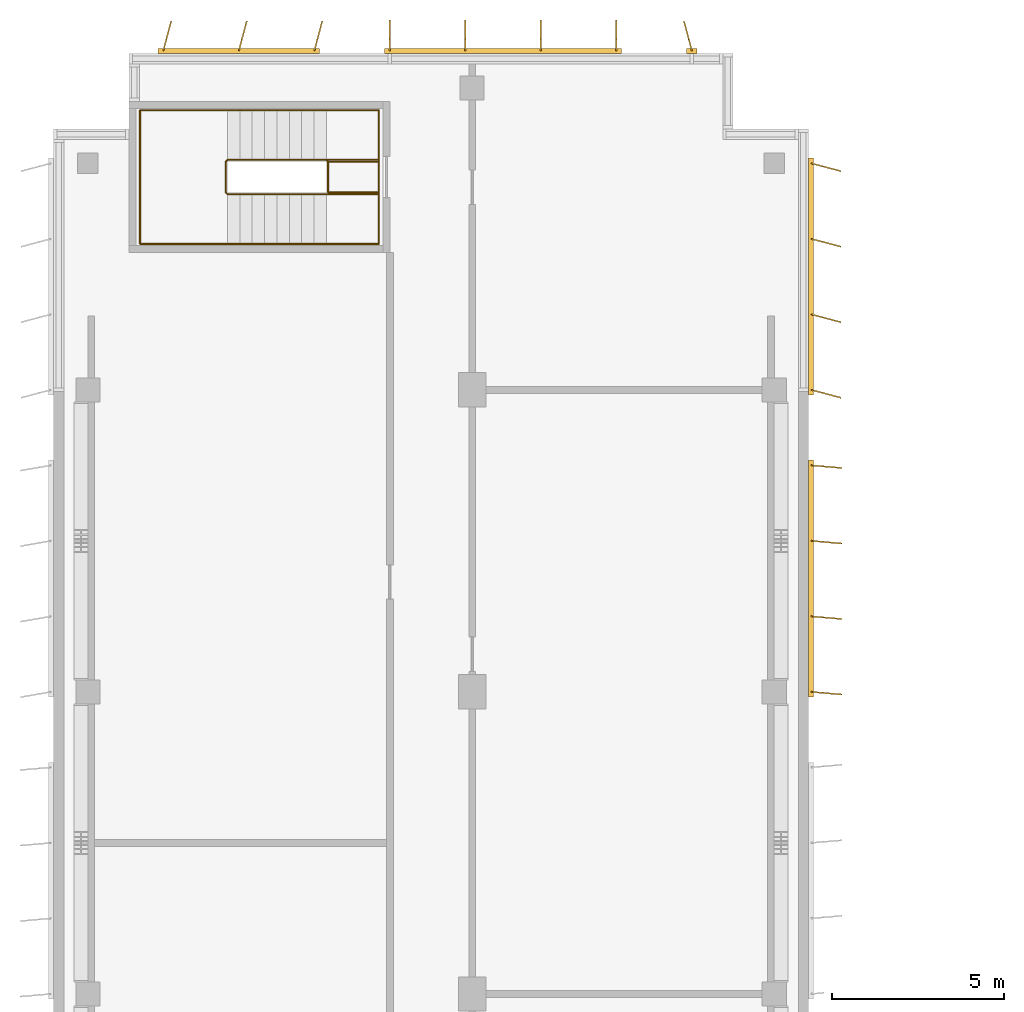
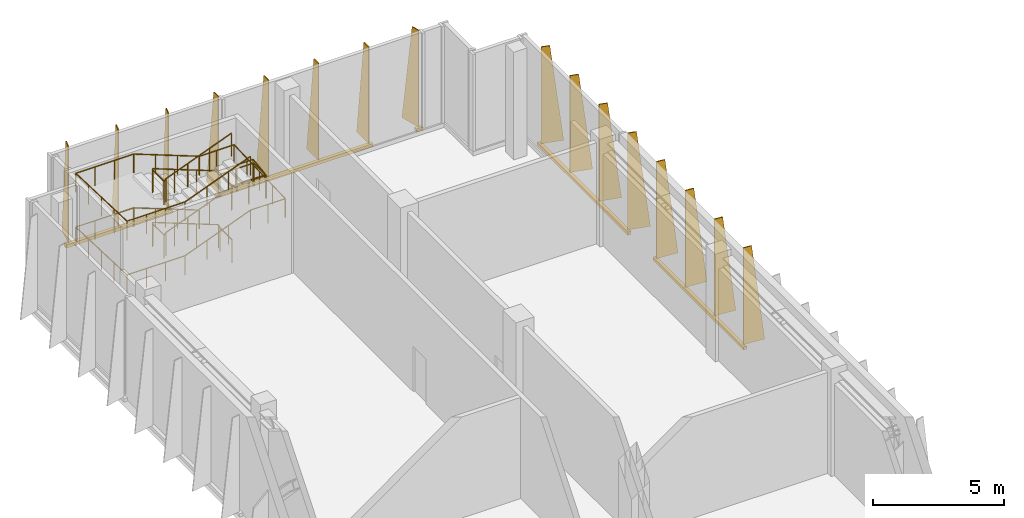
# One storey, part 14 of 14: 5 shading devices, 2 railings.
"""IFC4 building model written with IfcOpenShell, lengths in metres."""

from ifc_helpers import new_model, si_unit, direction, frame, origin, origin_2d, place, context, subcontext, project, spatial, polyline, rectangle, circle, outline, extrude, source, transform, mapped, material, layer, layer_set, type_object, element, save


model = new_model("IFC4")

# Units and contexts
model_context = context("Model", 3, precision=1e-05, world=origin(), true_north=direction((0.0, 1.0)))
body_context = subcontext(model_context, "Body", "Model", "MODEL_VIEW")
ifc_project = project(units=[si_unit("LENGTHUNIT", "METRE"), si_unit("AREAUNIT", "SQUARE_METRE"), si_unit("VOLUMEUNIT", "CUBIC_METRE"), si_unit("PLANEANGLEUNIT", "RADIAN"), si_unit("MASSUNIT", "GRAM", prefix="KILO")], contexts=[model_context])

# Site, building, storey
site_placement = place(None, origin())
site = spatial("IfcSite", under=ifc_project, at=site_placement, CompositionType="ELEMENT")
building_placement = place(site_placement, origin())
building = spatial("IfcBuilding", under=site, at=building_placement, Name="Kemantara Hotel Tower", CompositionType="ELEMENT")
storey_placement = place(building_placement, frame((0.0, 0.0, 309.199951171875)))
storey = spatial("IfcBuildingStorey", under=building, at=storey_placement, Name="L78", CompositionType="ELEMENT", Elevation=309.199951171875)

# Railings
ifc_material_1 = material(Name="Stainless steel balustrade", Category="steel")
railing_type_1 = type_object("IfcRailingType", Name="Stair guard 1100 mm", PredefinedType="GUARDRAIL", material=ifc_material_1)
railing_1_placement = place(storey_placement, frame((7.949951171875, 59.5, 5.0)))
element("IfcRailing", 1, at=railing_1_placement, inside=storey, type_object=railing_type_1, Name="L78 ST4 stair guard 1", PredefinedType="GUARDRAIL", context=body_context, shape_type="SweptSolid", body=[
    extrude(circle(Radius=0.02392578125, at=origin_2d()), frame((0.0, 0.0, 1.076171875), z_axis=(-0.932972064118, 0.0, -0.359948784656), x_axis=(0.0, -1.0, 0.0)), (0.0, 0.0, 1.0), 3.086669921875),
    extrude(circle(Radius=0.02392578125, at=origin_2d()), frame((-2.8798828125, 0.0, -0.03515625), z_axis=(-0.321014310373, 0.321014310373, -0.891010451718), x_axis=(-0.707106781187, -0.707106781187, 0.0)), (0.0, 0.0, 1.0), 0.156005859375),
    extrude(circle(Radius=0.02392578125, at=origin_2d()), frame((-2.929931640625, 0.050048828125, -0.173828125), z_axis=(0.0, 1.0, 0.0), x_axis=(-1.0, 0.0, 0.0)), (0.0, 0.0, 1.0), 0.89990234375),
    extrude(circle(Radius=0.02392578125, at=origin_2d()), frame((-2.929931640625, 0.949951171875, -0.173828125), z_axis=(0.707106781187, 0.707106781187, 0.0), x_axis=(-0.707106781187, 0.707106781187, 0.0)), (0.0, 0.0, 1.0), 0.07080078125),
    extrude(circle(Radius=0.02392578125, at=origin_2d()), frame((-2.8798828125, 1.0, -0.173828125), z_axis=(0.932972064118, 0.0, -0.359948784656), x_axis=(0.0, 1.0, 0.0)), (0.0, 0.0, 1.0), 3.086669921875),
    extrude(circle(Radius=0.02392578125, at=origin_2d()), frame((0.0, 1.0, -1.28515625), z_axis=(1.0, 0.0, 0.0), x_axis=(0.0, 1.0, 0.0)), (0.0, 0.0, 1.0), 1.530029296875),
    extrude(circle(Radius=0.02392578125, at=origin_2d()), frame((1.530029296875, 1.0, -1.28515625), z_axis=(0.0, -0.989476165601, -0.144695949172), x_axis=(1.0, 0.0, 0.0)), (0.0, 0.0, 1.0), 0.9599609375),
    extrude(circle(Radius=0.02392578125, at=origin_2d()), frame((1.530029296875, 0.050048828125, -1.423828125), z_axis=(-1.0, 0.0, 0.0), x_axis=(0.0, -1.0, 0.0)), (0.0, 0.0, 1.0), 1.47998046875),
    extrude(circle(Radius=0.02392578125, at=origin_2d()), frame((0.050048828125, 0.050048828125, -1.423828125), z_axis=(0.0, 1.0, 0.0), x_axis=(-1.0, 0.0, 0.0)), (0.0, 0.0, 1.0), 0.89990234375),
    extrude(circle(Radius=0.02392578125, at=origin_2d()), frame((0.050048828125, 0.949951171875, -1.423828125), z_axis=(1.0, 0.0, 0.0), x_axis=(0.0, 1.0, 0.0)), (0.0, 0.0, 1.0), 1.47998046875),
    extrude(circle(Radius=0.02392578125, at=origin_2d()), frame((1.530029296875, 0.949951171875, -1.423828125), z_axis=(0.0, -1.0, 0.0), x_axis=(1.0, 0.0, 0.0)), (0.0, 0.0, 1.0), 0.949951171875),
    extrude(circle(Radius=0.02392578125, at=origin_2d()), frame((1.530029296875, 0.0, -1.423828125), z_axis=(-1.0, 0.0, 0.0), x_axis=(0.0, -1.0, 0.0)), (0.0, 0.0, 1.0), 1.530029296875),
    extrude(circle(Radius=0.02392578125, at=origin_2d()), frame((0.0, 0.0, -1.423828125), z_axis=(-0.932972064118, 0.0, -0.359948784656), x_axis=(0.0, -1.0, 0.0)), (0.0, 0.0, 1.0), 3.086669921875),
    extrude(circle(Radius=0.02392578125, at=origin_2d()), frame((-2.8798828125, 0.0, -2.53515625), z_axis=(-0.321014310373, 0.321014310373, -0.891010451718), x_axis=(-0.707106781187, -0.707106781187, 0.0)), (0.0, 0.0, 1.0), 0.156005859375),
    extrude(circle(Radius=0.02392578125, at=origin_2d()), frame((-2.929931640625, 0.050048828125, -2.673828125), z_axis=(0.0, 1.0, 0.0), x_axis=(-1.0, 0.0, 0.0)), (0.0, 0.0, 1.0), 0.89990234375),
    extrude(circle(Radius=0.02392578125, at=origin_2d()), frame((-2.929931640625, 0.949951171875, -2.673828125), z_axis=(0.707106781187, 0.707106781187, 0.0), x_axis=(-0.707106781187, 0.707106781187, 0.0)), (0.0, 0.0, 1.0), 0.07080078125),
    extrude(circle(Radius=0.02392578125, at=origin_2d()), frame((-2.8798828125, 1.0, -2.673828125), z_axis=(0.932972064118, 0.0, -0.359948784656), x_axis=(0.0, 1.0, 0.0)), (0.0, 0.0, 1.0), 3.086669921875),
    extrude(circle(Radius=0.02392578125, at=origin_2d()), frame((0.0, 1.0, -3.78515625), z_axis=(0.321014310373, -0.321014310373, -0.891010451718), x_axis=(0.707106781187, 0.707106781187, 0.0)), (0.0, 0.0, 1.0), 0.156005859375),
    extrude(circle(Radius=0.02392578125, at=origin_2d()), frame((0.050048828125, 0.949951171875, -3.923828125), z_axis=(0.0, -1.0, 0.0), x_axis=(1.0, 0.0, 0.0)), (0.0, 0.0, 1.0), 0.89990234375),
    extrude(circle(Radius=0.02099609375, at=origin_2d()), origin(), (0.0, 0.0, 1.0), 1.052001953125),
    extrude(circle(Radius=0.02099609375, at=origin_2d()), frame((-0.9599609375, 0.0, -0.370361328125)), (0.0, 0.0, 1.0), 1.052001953125),
    extrude(circle(Radius=0.02099609375, at=origin_2d()), frame((-1.919921875, 0.0, -0.74072265625)), (0.0, 0.0, 1.0), 1.052001953125),
    extrude(circle(Radius=0.02099609375, at=origin_2d()), frame((-2.8798828125, 0.0, -1.111083984375)), (0.0, 0.0, 1.0), 1.052001953125),
    extrude(circle(Radius=0.02099609375, at=origin_2d()), frame((-2.929931640625, 0.050048828125, -1.25)), (0.0, 0.0, 1.0), 1.052001953125),
    extrude(circle(Radius=0.02099609375, at=origin_2d()), frame((-2.929931640625, 0.949951171875, -1.25)), (0.0, 0.0, 1.0), 1.052001953125),
    extrude(circle(Radius=0.02099609375, at=origin_2d()), frame((-2.8798828125, 1.0, -1.25)), (0.0, 0.0, 1.0), 1.052001953125),
    extrude(circle(Radius=0.02099609375, at=origin_2d()), frame((-1.919921875, 1.0, -1.620361328125)), (0.0, 0.0, 1.0), 1.052001953125),
    extrude(circle(Radius=0.02099609375, at=origin_2d()), frame((-0.9599609375, 1.0, -1.99072265625)), (0.0, 0.0, 1.0), 1.052001953125),
    extrude(circle(Radius=0.02099609375, at=origin_2d()), frame((0.0, 1.0, -2.361083984375)), (0.0, 0.0, 1.0), 1.052001953125),
    extrude(circle(Radius=0.02099609375, at=origin_2d()), frame((0.76513671875, 1.0, -2.361083984375)), (0.0, 0.0, 1.0), 1.052001953125),
    extrude(circle(Radius=0.02099609375, at=origin_2d()), frame((1.530029296875, 1.0, -2.361083984375)), (0.0, 0.0, 1.0), 1.052001953125),
    extrude(circle(Radius=0.02099609375, at=origin_2d()), frame((1.530029296875, 0.050048828125, -2.5)), (0.0, 0.0, 1.0), 1.052001953125),
    extrude(circle(Radius=0.02099609375, at=origin_2d()), frame((0.7900390625, 0.050048828125, -2.5)), (0.0, 0.0, 1.0), 1.052001953125),
    extrude(circle(Radius=0.02099609375, at=origin_2d()), frame((0.050048828125, 0.050048828125, -2.5)), (0.0, 0.0, 1.0), 1.052001953125),
    extrude(circle(Radius=0.02099609375, at=origin_2d()), frame((0.050048828125, 0.949951171875, -2.5)), (0.0, 0.0, 1.0), 1.052001953125),
    extrude(circle(Radius=0.02099609375, at=origin_2d()), frame((0.7900390625, 0.949951171875, -2.5)), (0.0, 0.0, 1.0), 1.052001953125),
    extrude(circle(Radius=0.02099609375, at=origin_2d()), frame((1.530029296875, 0.949951171875, -2.5)), (0.0, 0.0, 1.0), 1.052001953125),
    extrude(circle(Radius=0.02099609375, at=origin_2d()), frame((1.530029296875, 0.0, -2.5)), (0.0, 0.0, 1.0), 1.052001953125),
    extrude(circle(Radius=0.02099609375, at=origin_2d()), frame((0.76513671875, 0.0, -2.5)), (0.0, 0.0, 1.0), 1.052001953125),
    extrude(circle(Radius=0.02099609375, at=origin_2d()), frame((0.0, 0.0, -2.5)), (0.0, 0.0, 1.0), 1.052001953125),
    extrude(circle(Radius=0.02099609375, at=origin_2d()), frame((-0.9599609375, 0.0, -2.870361328125)), (0.0, 0.0, 1.0), 1.052001953125),
    extrude(circle(Radius=0.02099609375, at=origin_2d()), frame((-1.919921875, 0.0, -3.24072265625)), (0.0, 0.0, 1.0), 1.052001953125),
    extrude(circle(Radius=0.02099609375, at=origin_2d()), frame((-2.8798828125, 0.0, -3.611083984375)), (0.0, 0.0, 1.0), 1.052001953125),
    extrude(circle(Radius=0.02099609375, at=origin_2d()), frame((-2.929931640625, 0.050048828125, -3.75)), (0.0, 0.0, 1.0), 1.052001953125),
    extrude(circle(Radius=0.02099609375, at=origin_2d()), frame((-2.929931640625, 0.949951171875, -3.75)), (0.0, 0.0, 1.0), 1.052001953125),
    extrude(circle(Radius=0.02099609375, at=origin_2d()), frame((-2.8798828125, 1.0, -3.75)), (0.0, 0.0, 1.0), 1.052001953125),
    extrude(circle(Radius=0.02099609375, at=origin_2d()), frame((-1.919921875, 1.0, -4.120361328125)), (0.0, 0.0, 1.0), 1.052001953125),
    extrude(circle(Radius=0.02099609375, at=origin_2d()), frame((-0.9599609375, 1.0, -4.49072265625)), (0.0, 0.0, 1.0), 1.052001953125),
    extrude(circle(Radius=0.02099609375, at=origin_2d()), frame((0.0, 1.0, -4.861083984375)), (0.0, 0.0, 1.0), 1.052001953125),
    extrude(circle(Radius=0.02099609375, at=origin_2d()), frame((0.050048828125, 0.949951171875, -5.0)), (0.0, 0.0, 1.0), 1.052001953125),
    extrude(circle(Radius=0.02099609375, at=origin_2d()), frame((0.050048828125, 0.050048828125, -5.0)), (0.0, 0.0, 1.0), 1.052001953125),
])
railing_type_2 = type_object("IfcRailingType", Name="Stair handrail 900 mm", PredefinedType="HANDRAIL", material=ifc_material_1)
railing_2_placement = place(storey_placement, frame((7.949951171875, 61.949951171875, 0.138916015625)))
element("IfcRailing", 2, at=railing_2_placement, inside=storey, type_object=railing_type_2, Name="L78 ST4 stair handrail 1", PredefinedType="HANDRAIL", context=body_context, shape_type="SweptSolid", body=[
    extrude(circle(Radius=0.02392578125, at=origin_2d()), frame((0.0, 0.0, 0.8759765625), z_axis=(-0.932972064118, 0.0, 0.359948784656), x_axis=(0.0, -1.0, 0.0)), (0.0, 0.0, 1.0), 3.086669921875),
    extrude(circle(Radius=0.02392578125, at=origin_2d()), frame((-2.8798828125, 0.0, 1.98681640625), z_axis=(-1.0, 0.0, 0.0), x_axis=(0.0, -1.0, 0.0)), (0.0, 0.0, 1.0), 2.550048828125),
    extrude(circle(Radius=0.02392578125, at=origin_2d()), frame((-5.429931640625, 0.0, 1.98681640625), z_axis=(0.0, -0.999366197222, 0.035597806825), x_axis=(1.0, 0.0, 0.0)), (0.0, 0.0, 1.0), 3.90234375),
    extrude(circle(Radius=0.02392578125, at=origin_2d()), frame((-5.429931640625, -3.89990234375, 2.1259765625), z_axis=(1.0, 0.0, 0.0), x_axis=(0.0, 1.0, 0.0)), (0.0, 0.0, 1.0), 2.550048828125),
    extrude(circle(Radius=0.02392578125, at=origin_2d()), frame((-2.8798828125, -3.89990234375, 2.1259765625), z_axis=(0.932972064118, 0.0, 0.359948784656), x_axis=(0.0, 1.0, 0.0)), (0.0, 0.0, 1.0), 3.086669921875),
    extrude(circle(Radius=0.02392578125, at=origin_2d()), frame((0.0, -3.89990234375, 3.23681640625), z_axis=(1.0, 0.0, 0.0), x_axis=(0.0, 1.0, 0.0)), (0.0, 0.0, 1.0), 1.530029296875),
    extrude(circle(Radius=0.02392578125, at=origin_2d()), frame((1.530029296875, -3.89990234375, 3.23681640625), z_axis=(0.0, 0.999366197222, 0.035597806825), x_axis=(-1.0, 0.0, 0.0)), (0.0, 0.0, 1.0), 3.90234375),
    extrude(circle(Radius=0.02392578125, at=origin_2d()), frame((1.530029296875, 0.0, 3.3759765625), z_axis=(-1.0, 0.0, 0.0), x_axis=(0.0, -1.0, 0.0)), (0.0, 0.0, 1.0), 1.530029296875),
    extrude(circle(Radius=0.02392578125, at=origin_2d()), frame((0.0, 0.0, 3.3759765625), z_axis=(-0.932972064118, 0.0, 0.359948784656), x_axis=(0.0, -1.0, 0.0)), (0.0, 0.0, 1.0), 3.086669921875),
    extrude(circle(Radius=0.02392578125, at=origin_2d()), frame((-2.8798828125, 0.0, 4.48681640625), z_axis=(-1.0, 0.0, 0.0), x_axis=(0.0, -1.0, 0.0)), (0.0, 0.0, 1.0), 2.550048828125),
    extrude(circle(Radius=0.02392578125, at=origin_2d()), frame((-5.429931640625, 0.0, 4.48681640625), z_axis=(0.0, -0.999366197222, 0.035597806825), x_axis=(1.0, 0.0, 0.0)), (0.0, 0.0, 1.0), 3.90234375),
    extrude(circle(Radius=0.02392578125, at=origin_2d()), frame((-5.429931640625, -3.89990234375, 4.6259765625), z_axis=(1.0, 0.0, 0.0), x_axis=(0.0, 1.0, 0.0)), (0.0, 0.0, 1.0), 2.550048828125),
    extrude(circle(Radius=0.02392578125, at=origin_2d()), frame((-2.8798828125, -3.89990234375, 4.6259765625), z_axis=(0.932972064118, 0.0, 0.359948784656), x_axis=(0.0, 1.0, 0.0)), (0.0, 0.0, 1.0), 3.086669921875),
    extrude(circle(Radius=0.02099609375, at=origin_2d()), origin(), (0.0, 0.0, 1.0), 0.851806640625),
    extrude(circle(Radius=0.02099609375, at=origin_2d()), frame((-0.9599609375, 0.0, 0.370361328125)), (0.0, 0.0, 1.0), 0.851806640625),
    extrude(circle(Radius=0.02099609375, at=origin_2d()), frame((-1.919921875, 0.0, 0.74072265625)), (0.0, 0.0, 1.0), 0.851806640625),
    extrude(circle(Radius=0.02099609375, at=origin_2d()), frame((-2.8798828125, 0.0, 1.111083984375)), (0.0, 0.0, 1.0), 0.851806640625),
    extrude(circle(Radius=0.02099609375, at=origin_2d()), frame((-3.72998046875, 0.0, 1.111083984375)), (0.0, 0.0, 1.0), 0.851806640625),
    extrude(circle(Radius=0.02099609375, at=origin_2d()), frame((-4.579833984375, 0.0, 1.111083984375)), (0.0, 0.0, 1.0), 0.851806640625),
    extrude(circle(Radius=0.02099609375, at=origin_2d()), frame((-5.429931640625, 0.0, 1.111083984375)), (0.0, 0.0, 1.0), 0.851806640625),
    extrude(circle(Radius=0.02099609375, at=origin_2d()), frame((-5.429931640625, -0.97509765625, 1.145751953125)), (0.0, 0.0, 1.0), 0.851806640625),
    extrude(circle(Radius=0.02099609375, at=origin_2d()), frame((-5.429931640625, -1.949951171875, 1.1806640625)), (0.0, 0.0, 1.0), 0.851806640625),
    extrude(circle(Radius=0.02099609375, at=origin_2d()), frame((-5.429931640625, -2.9248046875, 1.21533203125)), (0.0, 0.0, 1.0), 0.851806640625),
    extrude(circle(Radius=0.02099609375, at=origin_2d()), frame((-5.429931640625, -3.89990234375, 1.25)), (0.0, 0.0, 1.0), 0.851806640625),
    extrude(circle(Radius=0.02099609375, at=origin_2d()), frame((-4.579833984375, -3.89990234375, 1.25)), (0.0, 0.0, 1.0), 0.851806640625),
    extrude(circle(Radius=0.02099609375, at=origin_2d()), frame((-3.72998046875, -3.89990234375, 1.25)), (0.0, 0.0, 1.0), 0.851806640625),
    extrude(circle(Radius=0.02099609375, at=origin_2d()), frame((-2.8798828125, -3.89990234375, 1.25)), (0.0, 0.0, 1.0), 0.851806640625),
    extrude(circle(Radius=0.02099609375, at=origin_2d()), frame((-1.919921875, -3.89990234375, 1.620361328125)), (0.0, 0.0, 1.0), 0.851806640625),
    extrude(circle(Radius=0.02099609375, at=origin_2d()), frame((-0.9599609375, -3.89990234375, 1.99072265625)), (0.0, 0.0, 1.0), 0.851806640625),
    extrude(circle(Radius=0.02099609375, at=origin_2d()), frame((0.0, -3.89990234375, 2.361083984375)), (0.0, 0.0, 1.0), 0.851806640625),
    extrude(circle(Radius=0.02099609375, at=origin_2d()), frame((0.76513671875, -3.89990234375, 2.361083984375)), (0.0, 0.0, 1.0), 0.851806640625),
    extrude(circle(Radius=0.02099609375, at=origin_2d()), frame((1.530029296875, -3.89990234375, 2.361083984375)), (0.0, 0.0, 1.0), 0.851806640625),
    extrude(circle(Radius=0.02099609375, at=origin_2d()), frame((1.530029296875, -2.9248046875, 2.395751953125)), (0.0, 0.0, 1.0), 0.851806640625),
    extrude(circle(Radius=0.02099609375, at=origin_2d()), frame((1.530029296875, -1.949951171875, 2.4306640625)), (0.0, 0.0, 1.0), 0.851806640625),
    extrude(circle(Radius=0.02099609375, at=origin_2d()), frame((1.530029296875, -0.97509765625, 2.46533203125)), (0.0, 0.0, 1.0), 0.851806640625),
    extrude(circle(Radius=0.02099609375, at=origin_2d()), frame((1.530029296875, 0.0, 2.5)), (0.0, 0.0, 1.0), 0.851806640625),
    extrude(circle(Radius=0.02099609375, at=origin_2d()), frame((0.76513671875, 0.0, 2.5)), (0.0, 0.0, 1.0), 0.851806640625),
    extrude(circle(Radius=0.02099609375, at=origin_2d()), frame((0.0, 0.0, 2.5)), (0.0, 0.0, 1.0), 0.851806640625),
    extrude(circle(Radius=0.02099609375, at=origin_2d()), frame((-0.9599609375, 0.0, 2.870361328125)), (0.0, 0.0, 1.0), 0.851806640625),
    extrude(circle(Radius=0.02099609375, at=origin_2d()), frame((-1.919921875, 0.0, 3.24072265625)), (0.0, 0.0, 1.0), 0.851806640625),
    extrude(circle(Radius=0.02099609375, at=origin_2d()), frame((-2.8798828125, 0.0, 3.611083984375)), (0.0, 0.0, 1.0), 0.851806640625),
    extrude(circle(Radius=0.02099609375, at=origin_2d()), frame((-3.72998046875, 0.0, 3.611083984375)), (0.0, 0.0, 1.0), 0.851806640625),
    extrude(circle(Radius=0.02099609375, at=origin_2d()), frame((-4.579833984375, 0.0, 3.611083984375)), (0.0, 0.0, 1.0), 0.851806640625),
    extrude(circle(Radius=0.02099609375, at=origin_2d()), frame((-5.429931640625, 0.0, 3.611083984375)), (0.0, 0.0, 1.0), 0.851806640625),
    extrude(circle(Radius=0.02099609375, at=origin_2d()), frame((-5.429931640625, -0.97509765625, 3.645751953125)), (0.0, 0.0, 1.0), 0.851806640625),
    extrude(circle(Radius=0.02099609375, at=origin_2d()), frame((-5.429931640625, -1.949951171875, 3.6806640625)), (0.0, 0.0, 1.0), 0.851806640625),
    extrude(circle(Radius=0.02099609375, at=origin_2d()), frame((-5.429931640625, -2.9248046875, 3.71533203125)), (0.0, 0.0, 1.0), 0.851806640625),
    extrude(circle(Radius=0.02099609375, at=origin_2d()), frame((-5.429931640625, -3.89990234375, 3.75)), (0.0, 0.0, 1.0), 0.851806640625),
    extrude(circle(Radius=0.02099609375, at=origin_2d()), frame((-4.579833984375, -3.89990234375, 3.75)), (0.0, 0.0, 1.0), 0.851806640625),
    extrude(circle(Radius=0.02099609375, at=origin_2d()), frame((-3.72998046875, -3.89990234375, 3.75)), (0.0, 0.0, 1.0), 0.851806640625),
    extrude(circle(Radius=0.02099609375, at=origin_2d()), frame((-2.8798828125, -3.89990234375, 3.75)), (0.0, 0.0, 1.0), 0.851806640625),
    extrude(circle(Radius=0.02099609375, at=origin_2d()), frame((-1.919921875, -3.89990234375, 4.120361328125)), (0.0, 0.0, 1.0), 0.851806640625),
    extrude(circle(Radius=0.02099609375, at=origin_2d()), frame((-0.9599609375, -3.89990234375, 4.49072265625)), (0.0, 0.0, 1.0), 0.851806640625),
    extrude(circle(Radius=0.02099609375, at=origin_2d()), frame((0.0, -3.89990234375, 4.861083984375)), (0.0, 0.0, 1.0), 0.851806640625),
])

# Shading devices
ifc_material_2 = material(Name="Perforated aluminium plate 4 mm bronze anodised", Category="aluminium")
ifc_layer_1 = layer(ifc_material_2, 0.0400390625)
ifc_layer_set_1 = layer_set([ifc_layer_1], Name="Perforated aluminium plate 4 mm bronze anodised")
shading_device_type_1 = type_object("IfcShadingDeviceType", Name="SCREEN FIN CASSETTE, 3 BLADES AT -15.0 DEG, 4500 HIGH", PredefinedType="USERDEFINED", material=ifc_layer_set_1)
shared_shape_1 = source(origin(), body_context, "Body", "SweptSolid", [
    extrude(rectangle(XDim=4.699951171875, YDim=0.14990234375, at=origin_2d()), frame((2.199951171875, -0.074951171875, -0.14990234375), z_axis=(0.0, 0.0, 1.0), x_axis=(1.0, 0.0, 0.0)), (0.0, 0.0, 1.0), 0.14990234375),
    extrude(outline(polyline([(0.0, 0.0), (0.89990234375, 0.0), (0.35009765625, 4.5), (0.0, 4.5), (0.0, 0.0)])), frame((0.019287109375, -0.080078125, 0.0), z_axis=(-0.966437683387, 0.256901156343, 0.0), x_axis=(-0.256901156343, -0.966437683387, 0.0)), (0.0, 0.0, 1.0), 0.039794921875),
    extrude(outline(polyline([(0.0, 0.0), (0.89990234375, 0.0), (0.35009765625, 4.5), (0.0, 4.5), (0.0, 0.0)])), frame((2.21923828125, -0.080078125, 0.0), z_axis=(-0.966437683387, 0.256901156343, 0.0), x_axis=(-0.256901156343, -0.966437683387, 0.0)), (0.0, 0.0, 1.0), 0.039794921875),
    extrude(outline(polyline([(0.0, 0.0), (0.89990234375, 0.0), (0.35009765625, 4.5), (0.0, 4.5), (0.0, 0.0)])), frame((4.41943359375, -0.080078125, 0.0), z_axis=(-0.966837822169, 0.255391122837, 0.0), x_axis=(-0.255391122837, -0.966837822169, 0.0)), (0.0, 0.0, 1.0), 0.0400390625),
])
shading_device_1_placement = place(storey_placement, frame((7.60009765625, 63.60009765625, 0.10009765625), z_axis=(0.0, 0.0, 1.0), x_axis=(-1.0, 0.0, 0.0)))
element("IfcShadingDevice", 3, at=shading_device_1_placement, inside=storey, type_object=shading_device_type_1, Name="SCREEN FIN CASSETTE L78 CRN-R02-3", ObjectType="SCREEN FIN", PredefinedType="USERDEFINED", context=body_context, shape_type="MappedRepresentation", body=[
    mapped(shared_shape_1, transform((0.0, 0.0, 0.0))),
])
ifc_layer_2 = layer(ifc_material_2, 0.0400390625)
ifc_layer_set_2 = layer_set([ifc_layer_2], Name="Perforated aluminium plate 4 mm bronze anodised")
shading_device_type_2 = type_object("IfcShadingDeviceType", Name="SCREEN FIN CASSETTE, 4 BLADES AT -5.0 DEG, 4500 HIGH", PredefinedType="USERDEFINED", material=ifc_layer_set_2)
shared_shape_2 = source(origin(), body_context, "Body", "SweptSolid", [
    extrude(rectangle(XDim=6.89990234375, YDim=0.14990234375, at=origin_2d()), frame((3.300048828125, -0.074951171875, -0.14990234375), z_axis=(0.0, 0.0, 1.0), x_axis=(1.0, 0.0, 0.0)), (0.0, 0.0, 1.0), 0.14990234375),
    extrude(outline(polyline([(0.0, 0.0), (0.89990234375, 0.0), (0.35009765625, 4.5), (0.0, 4.5), (0.0, 0.0)])), frame((0.02001953125, -0.07666015625, 0.0), z_axis=(-0.996376129781, 0.085056498884, 0.0), x_axis=(-0.085056498884, -0.996376129781, 0.0)), (0.0, 0.0, 1.0), 0.040283203125),
    extrude(outline(polyline([(0.0, 0.0), (0.89990234375, 0.0), (0.35009765625, 4.5), (0.0, 4.5), (0.0, 0.0)])), frame((2.219970703125, -0.07666015625, 0.0), z_axis=(-0.996331773833, 0.085574508182, 0.0), x_axis=(-0.085574508182, -0.996331773833, 0.0)), (0.0, 0.0, 1.0), 0.0400390625),
    extrude(outline(polyline([(0.0, 0.0), (0.89990234375, 0.0), (0.35009765625, 4.5), (0.0, 4.5), (0.0, 0.0)])), frame((4.419921875, -0.07666015625, 0.0), z_axis=(-0.996331773833, 0.085574508182, 0.0), x_axis=(-0.085574508182, -0.996331773833, 0.0)), (0.0, 0.0, 1.0), 0.0400390625),
    extrude(outline(polyline([(0.0, 0.0), (0.89990234375, 0.0), (0.35009765625, 4.5), (0.0, 4.5), (0.0, 0.0)])), frame((6.619873046875, -0.07666015625, 0.0), z_axis=(-0.996331773833, 0.085574508182, 0.0), x_axis=(-0.085574508182, -0.996331773833, 0.0)), (0.0, 0.0, 1.0), 0.0400390625),
])
shading_device_2_placement = place(storey_placement, frame((22.0, 45.0, 0.10009765625), z_axis=(0.0, 0.0, 1.0), x_axis=(0.0, 1.0, 0.0)))
element("IfcShadingDevice", 4, at=shading_device_2_placement, inside=storey, type_object=shading_device_type_2, Name="SCREEN FIN CASSETTE L78 CRN-R15-3", ObjectType="SCREEN FIN", PredefinedType="USERDEFINED", context=body_context, shape_type="MappedRepresentation", body=[
    mapped(shared_shape_2, transform((0.0, 0.0, 0.0))),
])
ifc_layer_3 = layer(ifc_material_2, 0.0400390625)
ifc_layer_set_3 = layer_set([ifc_layer_3], Name="Perforated aluminium plate 4 mm bronze anodised")
shading_device_type_3 = type_object("IfcShadingDeviceType", Name="SCREEN FIN CASSETTE, 4 BLADES AT +0.0 DEG, 4500 HIGH", PredefinedType="USERDEFINED", material=ifc_layer_set_3)
shared_shape_3 = source(origin(), body_context, "Body", "SweptSolid", [
    extrude(rectangle(XDim=6.89990234375, YDim=0.14990234375, at=origin_2d()), frame((3.300048828125, -0.074951171875, -0.14990234375), z_axis=(0.0, 0.0, 1.0), x_axis=(1.0, 0.0, 0.0)), (0.0, 0.0, 1.0), 0.14990234375),
    extrude(outline(polyline([(0.0, 0.0), (0.89990234375, 0.0), (0.35009765625, 4.5), (0.0, 4.5), (0.0, 0.0)])), frame((0.02001953125, -0.074951171875, 0.0), z_axis=(-1.0, 0.0, 0.0), x_axis=(0.0, -1.0, 0.0)), (0.0, 0.0, 1.0), 0.0400390625),
    extrude(outline(polyline([(0.0, 0.0), (0.89990234375, 0.0), (0.35009765625, 4.5), (0.0, 4.5), (0.0, 0.0)])), frame((2.219970703125, -0.074951171875, 0.0), z_axis=(-1.0, 0.0, 0.0), x_axis=(0.0, -1.0, 0.0)), (0.0, 0.0, 1.0), 0.0400390625),
    extrude(outline(polyline([(0.0, 0.0), (0.89990234375, 0.0), (0.35009765625, 4.5), (0.0, 4.5), (0.0, 0.0)])), frame((4.419921875, -0.074951171875, 0.0), z_axis=(-1.0, 0.0, 0.0), x_axis=(0.0, -1.0, 0.0)), (0.0, 0.0, 1.0), 0.0400390625),
    extrude(outline(polyline([(0.0, 0.0), (0.89990234375, 0.0), (0.35009765625, 4.5), (0.0, 4.5), (0.0, 0.0)])), frame((6.6201171875, -0.074951171875, 0.0), z_axis=(-1.0, 0.0, 0.0), x_axis=(0.0, -1.0, 0.0)), (0.0, 0.0, 1.0), 0.0400390625),
])
shading_device_3_placement = place(storey_placement, frame((16.39990234375, 63.60009765625, 0.10009765625), z_axis=(0.0, 0.0, 1.0), x_axis=(-1.0, 0.0, 0.0)))
element("IfcShadingDevice", 5, at=shading_device_3_placement, inside=storey, type_object=shading_device_type_3, Name="SCREEN FIN CASSETTE L78 CRN-R02-2", ObjectType="SCREEN FIN", PredefinedType="USERDEFINED", context=body_context, shape_type="MappedRepresentation", body=[
    mapped(shared_shape_3, transform((0.0, 0.0, 0.0))),
])
ifc_layer_4 = layer(ifc_material_2, 0.0400390625)
ifc_layer_set_4 = layer_set([ifc_layer_4], Name="Perforated aluminium plate 4 mm bronze anodised")
shading_device_type_4 = type_object("IfcShadingDeviceType", Name="SCREEN FIN CASSETTE, 4 BLADES AT -15.0 DEG, 4500 HIGH", PredefinedType="USERDEFINED", material=ifc_layer_set_4)
shared_shape_4 = source(origin(), body_context, "Body", "SweptSolid", [
    extrude(rectangle(XDim=6.89990234375, YDim=0.14990234375, at=origin_2d()), frame((3.300048828125, -0.074951171875, -0.14990234375), z_axis=(0.0, 0.0, 1.0), x_axis=(1.0, 0.0, 0.0)), (0.0, 0.0, 1.0), 0.14990234375),
    extrude(outline(polyline([(0.0, 0.0), (0.89990234375, 0.0), (0.35009765625, 4.5), (0.0, 4.5), (0.0, 0.0)])), frame((0.019287109375, -0.080078125, 0.0), z_axis=(-0.966437683387, 0.256901156343, 0.0), x_axis=(-0.256901156343, -0.966437683387, 0.0)), (0.0, 0.0, 1.0), 0.039794921875),
    extrude(outline(polyline([(0.0, 0.0), (0.89990234375, 0.0), (0.35009765625, 4.5), (0.0, 4.5), (0.0, 0.0)])), frame((2.21923828125, -0.080078125, 0.0), z_axis=(-0.966437683387, 0.256901156343, 0.0), x_axis=(-0.256901156343, -0.966437683387, 0.0)), (0.0, 0.0, 1.0), 0.039794921875),
    extrude(outline(polyline([(0.0, 0.0), (0.89990234375, 0.0), (0.35009765625, 4.5), (0.0, 4.5), (0.0, 0.0)])), frame((4.41943359375, -0.080078125, 0.0), z_axis=(-0.966837822169, 0.255391122837, 0.0), x_axis=(-0.255391122837, -0.966837822169, 0.0)), (0.0, 0.0, 1.0), 0.0400390625),
    extrude(outline(polyline([(0.0, 0.0), (0.89990234375, 0.0), (0.35009765625, 4.5), (0.0, 4.5), (0.0, 0.0)])), frame((6.619384765625, -0.080078125, 0.0), z_axis=(-0.966837822169, 0.255391122837, 0.0), x_axis=(-0.255391122837, -0.966837822169, 0.0)), (0.0, 0.0, 1.0), 0.0400390625),
])
shading_device_4_placement = place(storey_placement, frame((22.0, 53.800048828125, 0.10009765625), z_axis=(0.0, 0.0, 1.0), x_axis=(0.0, 1.0, 0.0)))
element("IfcShadingDevice", 6, at=shading_device_4_placement, inside=storey, type_object=shading_device_type_4, Name="SCREEN FIN CASSETTE L78 CRN-R15-4", ObjectType="SCREEN FIN", PredefinedType="USERDEFINED", context=body_context, shape_type="MappedRepresentation", body=[
    mapped(shared_shape_4, transform((0.0, 0.0, 0.0))),
])
ifc_layer_5 = layer(ifc_material_2, 0.0400390625)
ifc_layer_set_5 = layer_set([ifc_layer_5], Name="Perforated aluminium plate 4 mm bronze anodised")
shading_device_type_5 = type_object("IfcShadingDeviceType", Name="SCREEN FIN CASSETTE, 1 BLADE AT +15.0 DEG, 4500 HIGH", PredefinedType="USERDEFINED", material=ifc_layer_set_5)
shared_shape_5 = source(origin(), body_context, "Body", "SweptSolid", [
    extrude(rectangle(XDim=0.300048828125, YDim=0.14990234375, at=origin_2d()), frame((0.0, -0.074951171875, -0.14990234375), z_axis=(0.0, 0.0, 1.0), x_axis=(1.0, 0.0, 0.0)), (0.0, 0.0, 1.0), 0.14990234375),
    extrude(outline(polyline([(0.0, 0.0), (0.89990234375, 0.0), (0.35009765625, 4.5), (0.0, 4.5), (0.0, 0.0)])), frame((0.019287109375, -0.06982421875, 0.0), z_axis=(-0.966437683387, -0.256901156343, 0.0), x_axis=(0.256901156343, -0.966437683387, 0.0)), (0.0, 0.0, 1.0), 0.039794921875),
])
shading_device_5_placement = place(storey_placement, frame((18.60009765625, 63.60009765625, 0.10009765625), z_axis=(0.0, 0.0, 1.0), x_axis=(-1.0, 0.0, 0.0)))
element("IfcShadingDevice", 7, at=shading_device_5_placement, inside=storey, type_object=shading_device_type_5, Name="SCREEN FIN CASSETTE L78 CRN-R02-1", ObjectType="SCREEN FIN", PredefinedType="USERDEFINED", context=body_context, shape_type="MappedRepresentation", body=[
    mapped(shared_shape_5, transform((0.0, 0.0, 0.0))),
])

save(model, "model.ifc")
